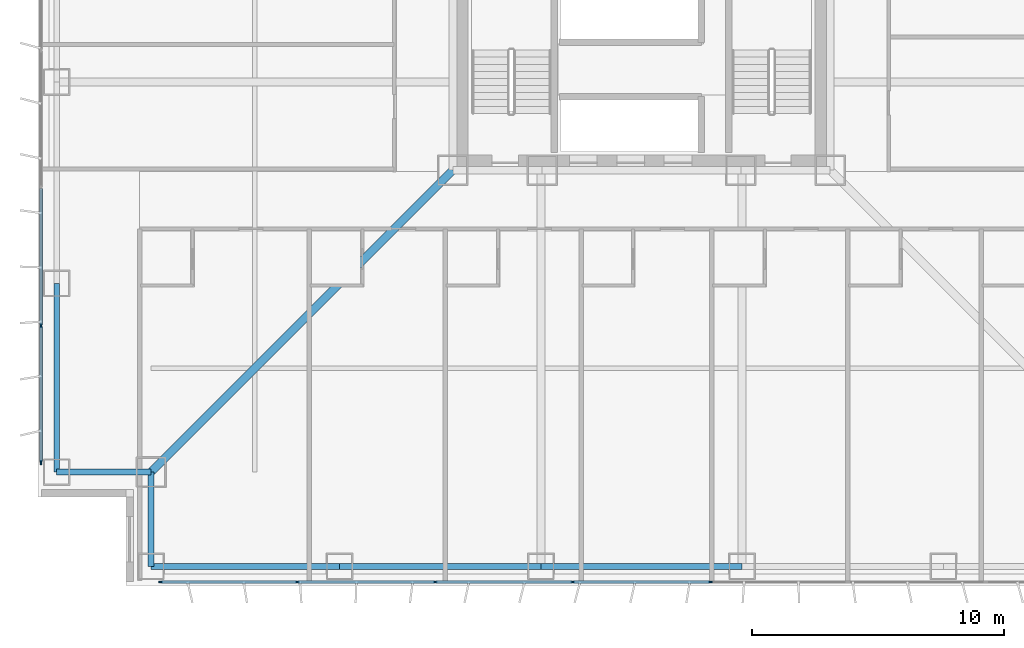
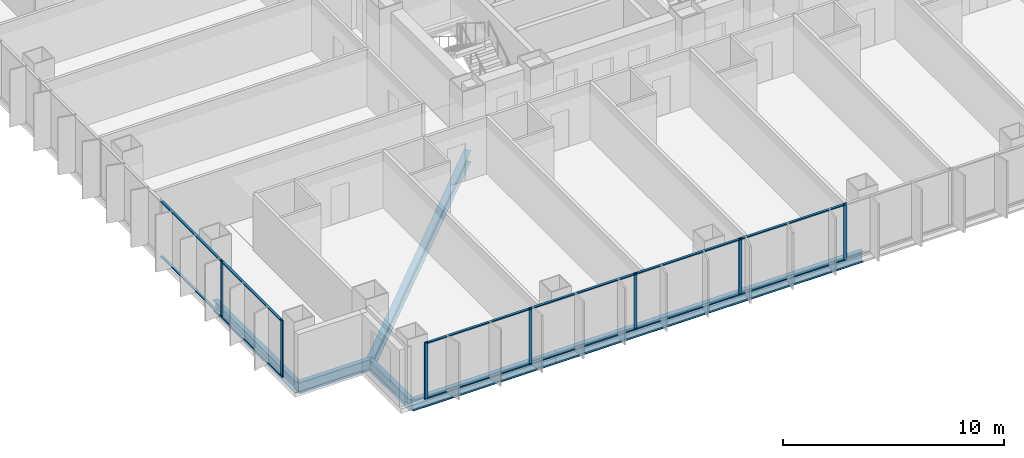
# One storey, part 2 of 19: 19 members, 7 beams, 2 elements without a shape of their own.
"""IFC4 building model written with IfcOpenShell, lengths in metres."""

from ifc_helpers import new_model, si_unit, direction, frame, origin, origin_2d, place, context, subcontext, project, spatial, rectangle, i_section, extrude, material, layer, layer_set, material_profile, profile_set, type_object, element, aggregate, save


model = new_model("IFC4")

# Units and contexts
model_context = context("Model", 3, precision=1e-05, world=origin(), true_north=direction((0.0, 1.0)))
body_context = subcontext(model_context, "Body", "Model", "MODEL_VIEW")
ifc_project = project(units=[si_unit("LENGTHUNIT", "METRE"), si_unit("AREAUNIT", "SQUARE_METRE"), si_unit("VOLUMEUNIT", "CUBIC_METRE"), si_unit("PLANEANGLEUNIT", "RADIAN"), si_unit("MASSUNIT", "GRAM", prefix="KILO")], contexts=[model_context])

# Site, building, storey
site_placement = place(None, origin())
site = spatial("IfcSite", under=ifc_project, at=site_placement, CompositionType="ELEMENT")
building_placement = place(site_placement, origin())
building = spatial("IfcBuilding", under=site, at=building_placement, Name="Trevonay Congress Spire", CompositionType="ELEMENT")
storey_placement = place(building_placement, frame((0.0, 0.0, 79.5)))
storey = spatial("IfcBuildingStorey", under=building, at=storey_placement, Name="L20", CompositionType="ELEMENT", Elevation=79.5)

# Beams
ifc_material_1 = material(Name="Steel ASTM A572 Grade 50", Category="steel")
ifc_material_profile_1 = material_profile(ifc_material_1, i_section(OverallWidth=0.324951171875, OverallDepth=0.615966796875, WebThickness=0.013916015625, FlangeThickness=0.021484375, FilletRadius=0.01806640625, at=origin_2d()), Name="W610x174")
ifc_profile_set_1 = profile_set([ifc_material_profile_1], Name="Steel ASTM A572 Grade 50")
beam_type_1 = type_object("IfcBeamType", Name="BM-GIRD-W610X174", PredefinedType="BEAM", material=ifc_profile_set_1)
beam_placement = place(storey_placement, frame((-7.5, -7.5, -0.55810546875), z_axis=(-0.707106781187, -0.707106781187, 0.0), x_axis=(0.707106781187, -0.707106781187, 0.0)))
element("IfcBeam", 1, at=beam_placement, inside=storey, type_object=beam_type_1, Name="L20 structural beam BM-L20-CDSW", PredefinedType="BEAM", context=body_context, shape_type="SweptSolid", body=[
    extrude(i_section(OverallWidth=0.324951171875, OverallDepth=0.615966796875, WebThickness=0.013916015625, FlangeThickness=0.021484375, FilletRadius=0.01806640625, at=origin_2d()), origin(), (0.0, 0.0, 1.0), 16.970458984375),
])
ifc_material_profile_2 = material_profile(ifc_material_1, i_section(OverallWidth=0.22998046875, OverallDepth=0.616943359375, WebThickness=0.01318359375, FlangeThickness=0.022216796875, FilletRadius=0.01611328125, at=origin_2d()), Name="W610x140")
ifc_profile_set_2 = profile_set([ifc_material_profile_2], Name="Steel ASTM A572 Grade 50")
beam_type_2 = type_object("IfcBeamType", Name="BM-RING-W610X140", PredefinedType="BEAM", material=ifc_profile_set_2)
for number, where, z_axis, x_axis, name in (
    (2, (-19.5, -23.25, -0.55859375), (1.0, 0.0, 0.0), (0.0, 1.0, 0.0), "L20 structural beam BM-L20-PS1"),
    (3, (-23.25, -19.5, -0.55859375), (0.0, 1.0, 0.0), (-1.0, 0.0, 0.0), "L20 structural beam BM-L20-PW1"),
):
    element("IfcBeam", number, at=place(storey_placement, frame(where, z_axis=z_axis, x_axis=x_axis)), inside=storey, type_object=beam_type_2, Name=name, PredefinedType="BEAM", context=body_context, shape_type="SweptSolid", body=[
        extrude(i_section(OverallWidth=0.22998046875, OverallDepth=0.616943359375, WebThickness=0.01318359375, FlangeThickness=0.022216796875, FilletRadius=0.01611328125, at=origin_2d()), origin(), (0.0, 0.0, 1.0), 7.5),
    ])
for number, where, z_axis, x_axis, name in (
    (4, (-12.0, -23.25, -0.55859375), (1.0, 0.0, 0.0), (0.0, 1.0, 0.0), "L20 structural beam BM-L20-PS2"),
    (5, (-4.0, -23.25, -0.55859375), (1.0, 0.0, 0.0), (0.0, 1.0, 0.0), "L20 structural beam BM-L20-PS3"),
):
    element("IfcBeam", number, at=place(storey_placement, frame(where, z_axis=z_axis, x_axis=x_axis)), inside=storey, type_object=beam_type_2, Name=name, PredefinedType="BEAM", context=body_context, shape_type="SweptSolid", body=[
        extrude(i_section(OverallWidth=0.22998046875, OverallDepth=0.616943359375, WebThickness=0.01318359375, FlangeThickness=0.022216796875, FilletRadius=0.01611328125, at=origin_2d()), origin(), (0.0, 0.0, 1.0), 8.0),
    ])
for number, where, z_axis, x_axis, name in (
    (6, (-19.5, -23.25, -0.55859375), (0.0, 1.0, 0.0), (-1.0, 0.0, 0.0), "L20 structural beam BM-L20-N1SW"),
    (7, (-23.25, -19.5, -0.55859375), (1.0, 0.0, 0.0), (0.0, 1.0, 0.0), "L20 structural beam BM-L20-N2SW"),
):
    element("IfcBeam", number, at=place(storey_placement, frame(where, z_axis=z_axis, x_axis=x_axis)), inside=storey, type_object=beam_type_2, Name=name, PredefinedType="BEAM", context=body_context, shape_type="SweptSolid", body=[
        extrude(i_section(OverallWidth=0.22998046875, OverallDepth=0.616943359375, WebThickness=0.01318359375, FlangeThickness=0.022216796875, FilletRadius=0.01611328125, at=origin_2d()), origin(), (0.0, 0.0, 1.0), 3.75),
    ])

# Curtain wall, members
ifc_material_2 = material(Name="Pale Anodised Aluminium EN AW-6063-T6", Category="aluminium")
ifc_layer = layer(ifc_material_2, 0.179931640625, Name="Pale Anodised Aluminium EN AW-6063-T6")
ifc_layer_set = layer_set([ifc_layer], Name="Pale Anodised Aluminium EN AW-6063-T6")
curtain_wall_type = type_object("IfcCurtainWallType", Name="CW-SYS02-HOTEL-PALE-METAL", PredefinedType="NOTDEFINED", material=ifc_layer_set)
curtain_wall_1_placement = place(storey_placement, origin())
curtain_wall_1 = element("IfcCurtainWall", 8, at=curtain_wall_1_placement, inside=storey, type_object=curtain_wall_type, Name="L20 S unitised curtain wall", PredefinedType="NOTDEFINED")
ifc_material_profile_3 = material_profile(ifc_material_2, rectangle(XDim=0.06005859375, YDim=0.159912109375, at=origin_2d()), Name="CW-MULLION-160-ALUMINIUM")
ifc_profile_set_3 = profile_set([ifc_material_profile_3], Name="Pale Anodised Aluminium EN AW-6063-T6")
member_type_1 = type_object("IfcMemberType", Name="CW-MULLION-160-ALUMINIUM", PredefinedType="MULLION", material=ifc_profile_set_3)
member_1_placement = place(storey_placement, frame((-19.1201171875, -23.8798828125, 0.0), z_axis=(0.0, 0.0, 1.0), x_axis=(0.0, 1.0, 0.0)))
member_1 = element("IfcMember", 9, at=member_1_placement, type_object=member_type_1, Name="CW02 mullion 1", PredefinedType="MULLION", context=body_context, shape_type="SweptSolid", body=[
    extrude(rectangle(XDim=0.06005859375, YDim=0.159912109375, at=origin_2d()), origin(), (0.0, 0.0, 1.0), 3.14990234375),
])
member_2_placement = place(storey_placement, frame((-13.678466796875, -23.8798828125, 0.0), z_axis=(0.0, 0.0, 1.0), x_axis=(0.0, 1.0, 0.0)))
member_2 = element("IfcMember", 10, at=member_2_placement, type_object=member_type_1, Name="CW02 mullion 2", PredefinedType="MULLION", context=body_context, shape_type="SweptSolid", body=[
    extrude(rectangle(XDim=0.06005859375, YDim=0.159912109375, at=origin_2d()), origin(), (0.0, 0.0, 1.0), 3.14990234375),
])
member_3_placement = place(storey_placement, frame((-8.20703125, -23.8798828125, 0.0), z_axis=(0.0, 0.0, 1.0), x_axis=(0.0, 1.0, 0.0)))
member_3 = element("IfcMember", 11, at=member_3_placement, type_object=member_type_1, Name="CW02 mullion 3", PredefinedType="MULLION", context=body_context, shape_type="SweptSolid", body=[
    extrude(rectangle(XDim=0.06005859375, YDim=0.159912109375, at=origin_2d()), origin(), (0.0, 0.0, 1.0), 3.14990234375),
])
member_4_placement = place(storey_placement, frame((-2.735595703125, -23.8798828125, 0.0), z_axis=(0.0, 0.0, 1.0), x_axis=(0.0, 1.0, 0.0)))
member_4 = element("IfcMember", 12, at=member_4_placement, type_object=member_type_1, Name="CW02 mullion 4", PredefinedType="MULLION", context=body_context, shape_type="SweptSolid", body=[
    extrude(rectangle(XDim=0.06005859375, YDim=0.159912109375, at=origin_2d()), origin(), (0.0, 0.0, 1.0), 3.14990234375),
])
member_5_placement = place(storey_placement, frame((2.735595703125, -23.8798828125, 0.0), z_axis=(0.0, 0.0, 1.0), x_axis=(0.0, 1.0, 0.0)))
member_5 = element("IfcMember", 13, at=member_5_placement, type_object=member_type_1, Name="CW02 mullion 5", PredefinedType="MULLION", context=body_context, shape_type="SweptSolid", body=[
    extrude(rectangle(XDim=0.06005859375, YDim=0.159912109375, at=origin_2d()), origin(), (0.0, 0.0, 1.0), 3.14990234375),
])

curtain_wall_2_placement = place(storey_placement, origin())
curtain_wall_2 = element("IfcCurtainWall", 14, at=curtain_wall_2_placement, inside=storey, type_object=curtain_wall_type, Name="L20 W unitised curtain wall", PredefinedType="NOTDEFINED")
member_6_placement = place(storey_placement, frame((-23.8798828125, -19.1201171875, 0.0), z_axis=(0.0, 0.0, 1.0), x_axis=(-1.0, 0.0, 0.0)))
member_6 = element("IfcMember", 15, at=member_6_placement, type_object=member_type_1, Name="CW02 mullion 1", PredefinedType="MULLION", context=body_context, shape_type="SweptSolid", body=[
    extrude(rectangle(XDim=0.06005859375, YDim=0.159912109375, at=origin_2d()), origin(), (0.0, 0.0, 1.0), 3.14990234375),
])
member_7_placement = place(storey_placement, frame((-23.8798828125, -13.678466796875, 0.0), z_axis=(0.0, 0.0, 1.0), x_axis=(-1.0, 0.0, 0.0)))
member_7 = element("IfcMember", 16, at=member_7_placement, type_object=member_type_1, Name="CW02 mullion 2", PredefinedType="MULLION", context=body_context, shape_type="SweptSolid", body=[
    extrude(rectangle(XDim=0.06005859375, YDim=0.159912109375, at=origin_2d()), origin(), (0.0, 0.0, 1.0), 3.14990234375),
])

# Member
ifc_material_profile_4 = material_profile(ifc_material_2, rectangle(XDim=0.1201171875, YDim=0.06005859375, at=origin_2d()), Name="CW-TRANSOM-120-ALUMINIUM")
ifc_profile_set_4 = profile_set([ifc_material_profile_4], Name="Pale Anodised Aluminium EN AW-6063-T6")
member_type_2 = type_object("IfcMemberType", Name="CW-TRANSOM-120-ALUMINIUM", PredefinedType="USERDEFINED", material=ifc_profile_set_4)
member_8_placement = place(storey_placement, frame((-19.090087890625, -23.8798828125, 0.06005859375), z_axis=(1.0, 0.0, 0.0), x_axis=(0.0, 1.0, 0.0)))
member_8 = element("IfcMember", 17, at=member_8_placement, type_object=member_type_2, Name="CW02 transom 1.1", ObjectType="TRANSOM", PredefinedType="USERDEFINED", context=body_context, shape_type="SweptSolid", body=[
    extrude(rectangle(XDim=0.1201171875, YDim=0.06005859375, at=origin_2d()), origin(), (0.0, 0.0, 1.0), 5.381591796875),
])

member_9_placement = place(storey_placement, frame((-19.090087890625, -23.8798828125, 3.090087890625), z_axis=(1.0, 0.0, 0.0), x_axis=(0.0, 1.0, 0.0)))
member_9 = element("IfcMember", 18, at=member_9_placement, type_object=member_type_2, Name="CW02 transom 1.2", ObjectType="TRANSOM", PredefinedType="USERDEFINED", context=body_context, shape_type="SweptSolid", body=[
    extrude(rectangle(XDim=0.1201171875, YDim=0.06005859375, at=origin_2d()), origin(), (0.0, 0.0, 1.0), 5.381591796875),
])

member_10_placement = place(storey_placement, frame((-13.648681640625, -23.8798828125, 0.06005859375), z_axis=(1.0, 0.0, 0.0), x_axis=(0.0, 1.0, 0.0)))
member_10 = element("IfcMember", 19, at=member_10_placement, type_object=member_type_2, Name="CW02 transom 2.1", ObjectType="TRANSOM", PredefinedType="USERDEFINED", context=body_context, shape_type="SweptSolid", body=[
    extrude(rectangle(XDim=0.1201171875, YDim=0.06005859375, at=origin_2d()), origin(), (0.0, 0.0, 1.0), 5.41162109375),
])

member_11_placement = place(storey_placement, frame((-13.648681640625, -23.8798828125, 3.090087890625), z_axis=(1.0, 0.0, 0.0), x_axis=(0.0, 1.0, 0.0)))
member_11 = element("IfcMember", 20, at=member_11_placement, type_object=member_type_2, Name="CW02 transom 2.2", ObjectType="TRANSOM", PredefinedType="USERDEFINED", context=body_context, shape_type="SweptSolid", body=[
    extrude(rectangle(XDim=0.1201171875, YDim=0.06005859375, at=origin_2d()), origin(), (0.0, 0.0, 1.0), 5.41162109375),
])

member_12_placement = place(storey_placement, frame((-8.17724609375, -23.8798828125, 0.06005859375), z_axis=(1.0, 0.0, 0.0), x_axis=(0.0, 1.0, 0.0)))
member_12 = element("IfcMember", 21, at=member_12_placement, type_object=member_type_2, Name="CW02 transom 3.1", ObjectType="TRANSOM", PredefinedType="USERDEFINED", context=body_context, shape_type="SweptSolid", body=[
    extrude(rectangle(XDim=0.1201171875, YDim=0.06005859375, at=origin_2d()), origin(), (0.0, 0.0, 1.0), 5.41162109375),
])

member_13_placement = place(storey_placement, frame((-8.17724609375, -23.8798828125, 3.090087890625), z_axis=(1.0, 0.0, 0.0), x_axis=(0.0, 1.0, 0.0)))
member_13 = element("IfcMember", 22, at=member_13_placement, type_object=member_type_2, Name="CW02 transom 3.2", ObjectType="TRANSOM", PredefinedType="USERDEFINED", context=body_context, shape_type="SweptSolid", body=[
    extrude(rectangle(XDim=0.1201171875, YDim=0.06005859375, at=origin_2d()), origin(), (0.0, 0.0, 1.0), 5.41162109375),
])

member_14_placement = place(storey_placement, frame((-2.705810546875, -23.8798828125, 0.06005859375), z_axis=(1.0, 0.0, 0.0), x_axis=(0.0, 1.0, 0.0)))
member_14 = element("IfcMember", 23, at=member_14_placement, type_object=member_type_2, Name="CW02 transom 4.1", ObjectType="TRANSOM", PredefinedType="USERDEFINED", context=body_context, shape_type="SweptSolid", body=[
    extrude(rectangle(XDim=0.1201171875, YDim=0.06005859375, at=origin_2d()), origin(), (0.0, 0.0, 1.0), 5.41162109375),
])

member_15_placement = place(storey_placement, frame((-2.705810546875, -23.8798828125, 3.090087890625), z_axis=(1.0, 0.0, 0.0), x_axis=(0.0, 1.0, 0.0)))
member_15 = element("IfcMember", 24, at=member_15_placement, type_object=member_type_2, Name="CW02 transom 4.2", ObjectType="TRANSOM", PredefinedType="USERDEFINED", context=body_context, shape_type="SweptSolid", body=[
    extrude(rectangle(XDim=0.1201171875, YDim=0.06005859375, at=origin_2d()), origin(), (0.0, 0.0, 1.0), 5.41162109375),
])

aggregate(curtain_wall_1, [member_1, member_2, member_3, member_4, member_5, member_8, member_9, member_10, member_11, member_12, member_13, member_14, member_15])

member_16_placement = place(storey_placement, frame((-23.8798828125, -19.090087890625, 0.06005859375), z_axis=(0.0, 1.0, 0.0), x_axis=(-1.0, 0.0, 0.0)))
member_16 = element("IfcMember", 25, at=member_16_placement, type_object=member_type_2, Name="CW02 transom 1.1", ObjectType="TRANSOM", PredefinedType="USERDEFINED", context=body_context, shape_type="SweptSolid", body=[
    extrude(rectangle(XDim=0.1201171875, YDim=0.06005859375, at=origin_2d()), origin(), (0.0, 0.0, 1.0), 5.381591796875),
])

member_17_placement = place(storey_placement, frame((-23.8798828125, -19.090087890625, 3.090087890625), z_axis=(0.0, 1.0, 0.0), x_axis=(-1.0, 0.0, 0.0)))
member_17 = element("IfcMember", 26, at=member_17_placement, type_object=member_type_2, Name="CW02 transom 1.2", ObjectType="TRANSOM", PredefinedType="USERDEFINED", context=body_context, shape_type="SweptSolid", body=[
    extrude(rectangle(XDim=0.1201171875, YDim=0.06005859375, at=origin_2d()), origin(), (0.0, 0.0, 1.0), 5.381591796875),
])

member_18_placement = place(storey_placement, frame((-23.8798828125, -13.648681640625, 0.06005859375), z_axis=(0.0, 1.0, 0.0), x_axis=(-1.0, 0.0, 0.0)))
member_18 = element("IfcMember", 27, at=member_18_placement, type_object=member_type_2, Name="CW02 transom 2.1", ObjectType="TRANSOM", PredefinedType="USERDEFINED", context=body_context, shape_type="SweptSolid", body=[
    extrude(rectangle(XDim=0.1201171875, YDim=0.06005859375, at=origin_2d()), origin(), (0.0, 0.0, 1.0), 5.41162109375),
])

member_19_placement = place(storey_placement, frame((-23.8798828125, -13.648681640625, 3.090087890625), z_axis=(0.0, 1.0, 0.0), x_axis=(-1.0, 0.0, 0.0)))
member_19 = element("IfcMember", 28, at=member_19_placement, type_object=member_type_2, Name="CW02 transom 2.2", ObjectType="TRANSOM", PredefinedType="USERDEFINED", context=body_context, shape_type="SweptSolid", body=[
    extrude(rectangle(XDim=0.1201171875, YDim=0.06005859375, at=origin_2d()), origin(), (0.0, 0.0, 1.0), 5.41162109375),
])

aggregate(curtain_wall_2, [member_6, member_7, member_16, member_17, member_18, member_19])

save(model, "model.ifc")
